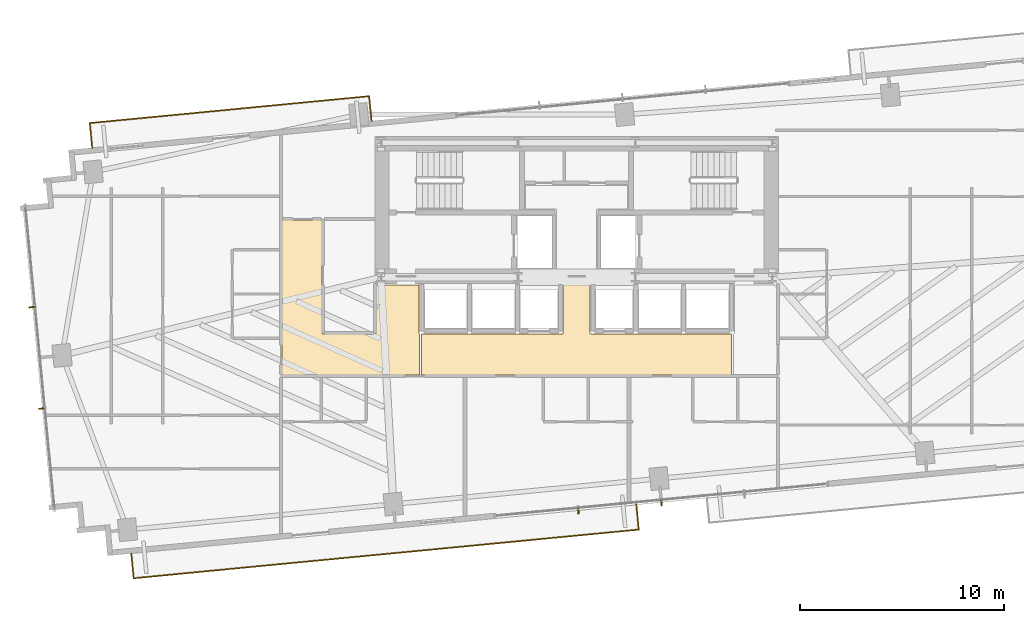
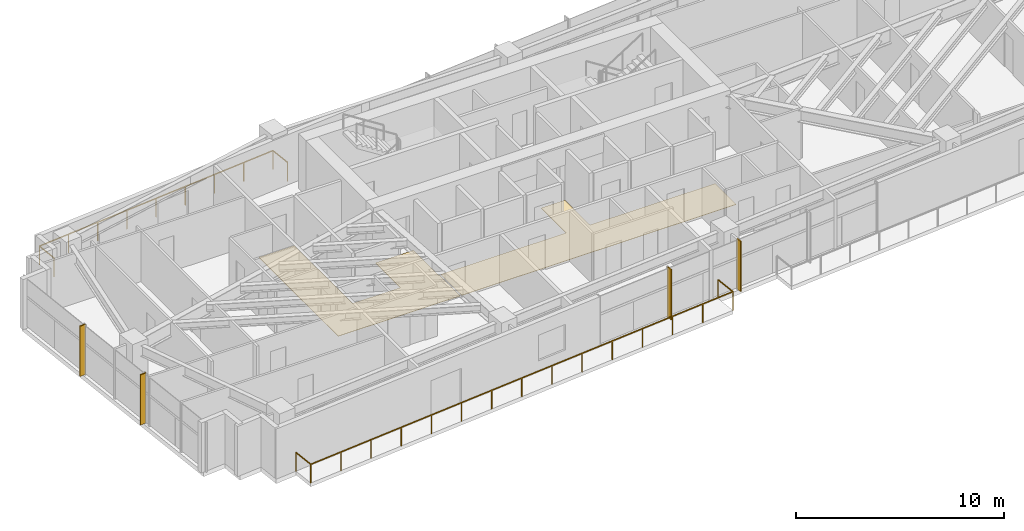
# One storey, part 23 of 25: 4 shading devices, 2 coverings, 2 railings.
"""IFC4 building model written with IfcOpenShell, lengths in metres."""

from ifc_helpers import new_model, si_unit, direction, frame, origin, origin_2d, place, context, subcontext, project, spatial, polyline, rectangle, outline, extrude, source, transform, mapped, material, layer, layer_set, type_object, type_shapes, element, save


model = new_model("IFC4")

# Units and contexts
model_context = context("Model", 3, precision=1e-05, world=origin(), true_north=direction((0.0, 1.0)))
body_context = subcontext(model_context, "Body", "Model", "MODEL_VIEW")
ifc_project = project(units=[si_unit("LENGTHUNIT", "METRE"), si_unit("AREAUNIT", "SQUARE_METRE"), si_unit("VOLUMEUNIT", "CUBIC_METRE"), si_unit("PLANEANGLEUNIT", "RADIAN"), si_unit("MASSUNIT", "GRAM", prefix="KILO")], contexts=[model_context])

# Site, building, storey
site_placement = place(None, origin())
site = spatial("IfcSite", under=ifc_project, at=site_placement, CompositionType="ELEMENT")
building_placement = place(site_placement, origin())
building = spatial("IfcBuilding", under=site, at=building_placement, Name="Astriad Promenade Condominiums", CompositionType="ELEMENT")
storey_placement = place(building_placement, frame((0.0, 0.0, 100.199951171875)))
storey = spatial("IfcBuildingStorey", under=building, at=storey_placement, Name="L28", CompositionType="ELEMENT", Elevation=100.199951171875)

# Coverings
ifc_material_1 = material(Name="Polished Lakefront Terrazzo Flooring")
ifc_layer = layer(ifc_material_1, 0.02001953125)
ifc_layer_set = layer_set([ifc_layer], Name="Polished Lakefront Terrazzo Flooring")
covering_type = type_object("IfcCoveringType", Name="COV-FLOR-TERRAZZO-20", PredefinedType="FLOORING", material=ifc_layer_set)
covering_1_placement = place(storey_placement, origin())
element("IfcCovering", 1, at=covering_1_placement, inside=storey, type_object=covering_type, Name="FLR-L28-LLB", PredefinedType="FLOORING", context=body_context, shape_type="SweptSolid", body=[
    extrude(outline(polyline([(43.610107421875, 14.610107421875), (43.610107421875, 12.590087890625), (28.389892578125, 12.590087890625), (28.389892578125, 14.610107421875), (35.300048828125, 14.610107421875), (35.303955078125, 14.610107421875), (35.307861328125, 14.61083984375), (35.3115234375, 14.61181640625), (35.315185546875, 14.613037109375), (35.31884765625, 14.61474609375), (35.322265625, 14.61669921875), (35.325439453125, 14.619140625), (35.328369140625, 14.62158203125), (35.330810546875, 14.62451171875), (35.333251953125, 14.627685546875), (35.335205078125, 14.631103515625), (35.3369140625, 14.634765625), (35.33837890625, 14.638427734375), (35.339111328125, 14.64208984375), (35.33984375, 14.64599609375), (35.340087890625, 14.64990234375), (35.340087890625, 17.010009765625), (36.659912109375, 17.010009765625), (36.659912109375, 14.64990234375), (36.66015625, 14.64599609375), (36.660888671875, 14.64208984375), (36.66162109375, 14.638427734375), (36.6630859375, 14.634765625), (36.664794921875, 14.631103515625), (36.666748046875, 14.627685546875), (36.669189453125, 14.62451171875), (36.671630859375, 14.62158203125), (36.674560546875, 14.619140625), (36.677734375, 14.61669921875), (36.68115234375, 14.61474609375), (36.684814453125, 14.613037109375), (36.6884765625, 14.61181640625), (36.692138671875, 14.61083984375), (36.696044921875, 14.610107421875), (36.699951171875, 14.610107421875), (43.610107421875, 14.610107421875)])), origin(), (0.0, 0.0, 1.0), 0.02001953125),
])
covering_2_placement = place(storey_placement, origin())
element("IfcCovering", 2, at=covering_2_placement, inside=storey, type_object=covering_type, Name="FLR-L28-COR-2", PredefinedType="FLOORING", context=body_context, shape_type="SweptSolid", body=[
    extrude(outline(polyline([(28.300048828125, 12.590087890625), (21.5400390625, 12.590087890625), (21.5400390625, 20.2099609375), (23.510009765625, 20.2099609375), (23.510009765625, 14.659912109375), (23.51025390625, 14.656005859375), (23.5107421875, 14.652099609375), (23.51171875, 14.6484375), (23.512939453125, 14.644775390625), (23.5146484375, 14.64111328125), (23.5166015625, 14.6376953125), (23.51904296875, 14.634521484375), (23.521728515625, 14.631591796875), (23.524658203125, 14.629150390625), (23.52783203125, 14.626708984375), (23.531005859375, 14.624755859375), (23.53466796875, 14.623046875), (23.538330078125, 14.62158203125), (23.542236328125, 14.620849609375), (23.546142578125, 14.6201171875), (23.550048828125, 14.6201171875), (26.1201171875, 14.6201171875), (26.123779296875, 14.6201171875), (26.127685546875, 14.620849609375), (26.131591796875, 14.62158203125), (26.13525390625, 14.623046875), (26.138916015625, 14.624755859375), (26.14208984375, 14.626708984375), (26.1455078125, 14.629150390625), (26.148193359375, 14.631591796875), (26.15087890625, 14.634521484375), (26.1533203125, 14.6376953125), (26.1552734375, 14.64111328125), (26.156982421875, 14.644775390625), (26.158203125, 14.6484375), (26.1591796875, 14.652099609375), (26.159912109375, 14.656005859375), (26.159912109375, 14.659912109375), (26.159912109375, 17.010009765625), (28.260009765625, 17.010009765625), (28.260009765625, 14.64990234375), (28.26025390625, 14.64599609375), (28.2607421875, 14.64208984375), (28.26171875, 14.638427734375), (28.262939453125, 14.634765625), (28.2646484375, 14.631103515625), (28.2666015625, 14.627685546875), (28.26904296875, 14.62451171875), (28.271728515625, 14.62158203125), (28.274658203125, 14.619140625), (28.27783203125, 14.61669921875), (28.281005859375, 14.61474609375), (28.28466796875, 14.613037109375), (28.288330078125, 14.61181640625), (28.292236328125, 14.61083984375), (28.296142578125, 14.610107421875), (28.300048828125, 14.610107421875), (28.300048828125, 12.590087890625)])), origin(), (0.0, 0.0, 1.0), 0.02001953125),
])

# Shading devices
ifc_material_2 = material(Name="Anodised aluminium 6063-T6 Black Fin", Category="aluminium")
shading_device_type = type_object("IfcShadingDeviceType", Name="FIN-BLACK-320", PredefinedType="USERDEFINED", material=ifc_material_2)
shared_shape_1 = source(origin(), body_context, "Body", "SweptSolid", [
    extrude(rectangle(XDim=0.06494140625, YDim=0.320068359375, at=origin_2d()), origin(), (0.0, 0.0, 1.0), 2.93994140625),
])
type_shapes(shading_device_type, [shared_shape_1])
for number, where, z_axis, x_axis, name in (
    (3, (9.766845703125, 10.954345703125, 0.0), (0.0, 0.0, 1.0), (-0.09584575252, 0.995396198367, 0.0), "CW-L28-W-FIN-01"),
    (4, (9.28759765625, 15.931396484375, 0.0), (0.0, 0.0, 1.0), (-0.09584575252, 0.995396198367, 0.0), "CW-L28-W-FIN-02"),
    (5, (40.159423828125, 6.3359375, 0.0), (0.0, 0.0, 1.0), (-0.995396198367, -0.09584575252, 0.0), "CW-L28-S-FIN-02"),
    (6, (36.083251953125, 5.943603515625, 0.0), (0.0, 0.0, 1.0), (-0.995396198367, -0.09584575252, 0.0), "CW-L28-S-FIN-03"),
):
    element("IfcShadingDevice", number, at=place(storey_placement, frame(where, z_axis=z_axis, x_axis=x_axis)), inside=storey, type_object=shading_device_type, Name=name, ObjectType="FIN", PredefinedType="USERDEFINED", context=body_context, shape_type="MappedRepresentation", body=[
        mapped(shared_shape_1, transform((0.0, 0.0, 0.0), scale=1.0)),
    ])

# Railings
ifc_material_3 = material(Name="Laminated Glass and Stainless Steel Balustrade", Category="steel")
railing_type = type_object("IfcRailingType", Name="GRD-BALC-1120", PredefinedType="BALUSTRADE", material=ifc_material_3)
shared_shape_2 = source(origin(), body_context, "Body", "SweptSolid", [
    extrude(rectangle(XDim=0.048095703125, YDim=0.048095703125, at=origin_2d()), frame((0.0, 0.0, 1.09619140625), z_axis=(0.095857307208, -0.99539508571, 0.0), x_axis=(0.99539508571, 0.095857307208, 0.0)), (0.0, 0.0, 1.0), 1.219970703125),
    extrude(rectangle(XDim=0.048095703125, YDim=0.048095703125, at=origin_2d()), frame((0.116943359375, -1.21435546875, 1.09619140625), z_axis=(0.995395960419, 0.095848223679, 0.0), x_axis=(-0.095848223679, 0.995395960419, 0.0)), (0.0, 0.0, 1.0), 24.901123046875),
    extrude(rectangle(XDim=0.048095703125, YDim=0.048095703125, at=origin_2d()), frame((24.9033203125, 1.17236328125, 1.09619140625), z_axis=(-0.095857307208, 0.99539508571, 0.0), x_axis=(-0.99539508571, -0.095857307208, 0.0)), (0.0, 0.0, 1.0), 1.219970703125),
    extrude(rectangle(XDim=0.0419921875, YDim=0.0419921875, at=origin_2d()), origin(), (0.0, 0.0, 1.0), 1.072021484375),
    extrude(rectangle(XDim=0.0419921875, YDim=0.0419921875, at=origin_2d()), frame((0.116943359375, -1.21435546875, 0.0)), (0.0, 0.0, 1.0), 1.072021484375),
    extrude(rectangle(XDim=0.0419921875, YDim=0.0419921875, at=origin_2d()), frame((1.887451171875, -1.0439453125, 0.0)), (0.0, 0.0, 1.0), 1.072021484375),
    extrude(rectangle(XDim=0.0419921875, YDim=0.0419921875, at=origin_2d()), frame((3.657958984375, -0.873291015625, 0.0)), (0.0, 0.0, 1.0), 1.072021484375),
    extrude(rectangle(XDim=0.0419921875, YDim=0.0419921875, at=origin_2d()), frame((5.42822265625, -0.702880859375, 0.0)), (0.0, 0.0, 1.0), 1.072021484375),
    extrude(rectangle(XDim=0.0419921875, YDim=0.0419921875, at=origin_2d()), frame((7.19873046875, -0.532470703125, 0.0)), (0.0, 0.0, 1.0), 1.072021484375),
    extrude(rectangle(XDim=0.0419921875, YDim=0.0419921875, at=origin_2d()), frame((8.96923828125, -0.362060546875, 0.0)), (0.0, 0.0, 1.0), 1.072021484375),
    extrude(rectangle(XDim=0.0419921875, YDim=0.0419921875, at=origin_2d()), frame((10.73974609375, -0.19140625, 0.0)), (0.0, 0.0, 1.0), 1.072021484375),
    extrude(rectangle(XDim=0.0419921875, YDim=0.0419921875, at=origin_2d()), frame((12.51025390625, -0.02099609375, 0.0)), (0.0, 0.0, 1.0), 1.072021484375),
    extrude(rectangle(XDim=0.0419921875, YDim=0.0419921875, at=origin_2d()), frame((14.280517578125, 0.1494140625, 0.0)), (0.0, 0.0, 1.0), 1.072021484375),
    extrude(rectangle(XDim=0.0419921875, YDim=0.0419921875, at=origin_2d()), frame((16.051025390625, 0.320068359375, 0.0)), (0.0, 0.0, 1.0), 1.072021484375),
    extrude(rectangle(XDim=0.0419921875, YDim=0.0419921875, at=origin_2d()), frame((17.821533203125, 0.490478515625, 0.0)), (0.0, 0.0, 1.0), 1.072021484375),
    extrude(rectangle(XDim=0.0419921875, YDim=0.0419921875, at=origin_2d()), frame((19.592041015625, 0.660888671875, 0.0)), (0.0, 0.0, 1.0), 1.072021484375),
    extrude(rectangle(XDim=0.0419921875, YDim=0.0419921875, at=origin_2d()), frame((21.3623046875, 0.831298828125, 0.0)), (0.0, 0.0, 1.0), 1.072021484375),
    extrude(rectangle(XDim=0.0419921875, YDim=0.0419921875, at=origin_2d()), frame((23.1328125, 1.001953125, 0.0)), (0.0, 0.0, 1.0), 1.072021484375),
    extrude(rectangle(XDim=0.0419921875, YDim=0.0419921875, at=origin_2d()), frame((24.9033203125, 1.17236328125, 0.0)), (0.0, 0.0, 1.0), 1.072021484375),
    extrude(rectangle(XDim=0.0419921875, YDim=0.0419921875, at=origin_2d()), frame((24.786376953125, 2.38671875, 0.0)), (0.0, 0.0, 1.0), 1.072021484375),
])
railing_1_placement = place(storey_placement, frame((14.145751953125, 3.84130859375, 0.0)))
element("IfcRailing", 7, at=railing_1_placement, inside=storey, type_object=railing_type, Name="GRD-BALC-L28-SW", PredefinedType="BALUSTRADE", context=body_context, shape_type="MappedRepresentation", body=[
    mapped(shared_shape_2, transform((0.0, 0.0, 0.0), scale=1.0)),
])
shared_shape_3 = source(origin(), body_context, "Body", "SweptSolid", [
    extrude(rectangle(XDim=0.048095703125, YDim=0.048095703125, at=origin_2d()), frame((0.0, 0.0, 1.09619140625), z_axis=(-0.095857307208, 0.99539508571, 0.0), x_axis=(-0.99539508571, -0.095857307208, 0.0)), (0.0, 0.0, 1.0), 1.219970703125),
    extrude(rectangle(XDim=0.048095703125, YDim=0.048095703125, at=origin_2d()), frame((-0.116943359375, 1.21435546875, 1.09619140625), z_axis=(-0.995396386929, -0.095843794215, 0.0), x_axis=(0.095843794215, -0.995396386929, 0.0)), (0.0, 0.0, 1.0), 13.773193359375),
    extrude(rectangle(XDim=0.048095703125, YDim=0.048095703125, at=origin_2d()), frame((-13.82666015625, -0.105712890625, 1.09619140625), z_axis=(0.096055582315, -0.995375971734, 0.0), x_axis=(0.995375971734, 0.096055582315, 0.0)), (0.0, 0.0, 1.0), 1.219970703125),
    extrude(rectangle(XDim=0.0419921875, YDim=0.0419921875, at=origin_2d()), origin(), (0.0, 0.0, 1.0), 1.072021484375),
    extrude(rectangle(XDim=0.0419921875, YDim=0.0419921875, at=origin_2d()), frame((-0.116943359375, 1.21435546875, 0.0)), (0.0, 0.0, 1.0), 1.072021484375),
    extrude(rectangle(XDim=0.0419921875, YDim=0.0419921875, at=origin_2d()), frame((-1.83056640625, 1.04931640625, 0.0)), (0.0, 0.0, 1.0), 1.072021484375),
    extrude(rectangle(XDim=0.0419921875, YDim=0.0419921875, at=origin_2d()), frame((-3.54443359375, 0.88427734375, 0.0)), (0.0, 0.0, 1.0), 1.072021484375),
    extrude(rectangle(XDim=0.0419921875, YDim=0.0419921875, at=origin_2d()), frame((-5.258056640625, 0.71923828125, 0.0)), (0.0, 0.0, 1.0), 1.072021484375),
    extrude(rectangle(XDim=0.0419921875, YDim=0.0419921875, at=origin_2d()), frame((-6.9716796875, 0.55419921875, 0.0)), (0.0, 0.0, 1.0), 1.072021484375),
    extrude(rectangle(XDim=0.0419921875, YDim=0.0419921875, at=origin_2d()), frame((-8.685546875, 0.389404296875, 0.0)), (0.0, 0.0, 1.0), 1.072021484375),
    extrude(rectangle(XDim=0.0419921875, YDim=0.0419921875, at=origin_2d()), frame((-10.399169921875, 0.224365234375, 0.0)), (0.0, 0.0, 1.0), 1.072021484375),
    extrude(rectangle(XDim=0.0419921875, YDim=0.0419921875, at=origin_2d()), frame((-12.113037109375, 0.059326171875, 0.0)), (0.0, 0.0, 1.0), 1.072021484375),
    extrude(rectangle(XDim=0.0419921875, YDim=0.0419921875, at=origin_2d()), frame((-13.82666015625, -0.105712890625, 0.0)), (0.0, 0.0, 1.0), 1.072021484375),
    extrude(rectangle(XDim=0.0419921875, YDim=0.0419921875, at=origin_2d()), frame((-13.70947265625, -1.320068359375, 0.0)), (0.0, 0.0, 1.0), 1.072021484375),
])
type_shapes(railing_type, [shared_shape_2, shared_shape_3])
railing_2_placement = place(storey_placement, frame((25.9384765625, 25.0693359375, 0.0)))
element("IfcRailing", 8, at=railing_2_placement, inside=storey, type_object=railing_type, Name="GRD-BALC-L28-NW", PredefinedType="BALUSTRADE", context=body_context, shape_type="MappedRepresentation", body=[
    mapped(shared_shape_3, transform((0.0, 0.0, 0.0), scale=1.0)),
])

save(model, "model.ifc")
